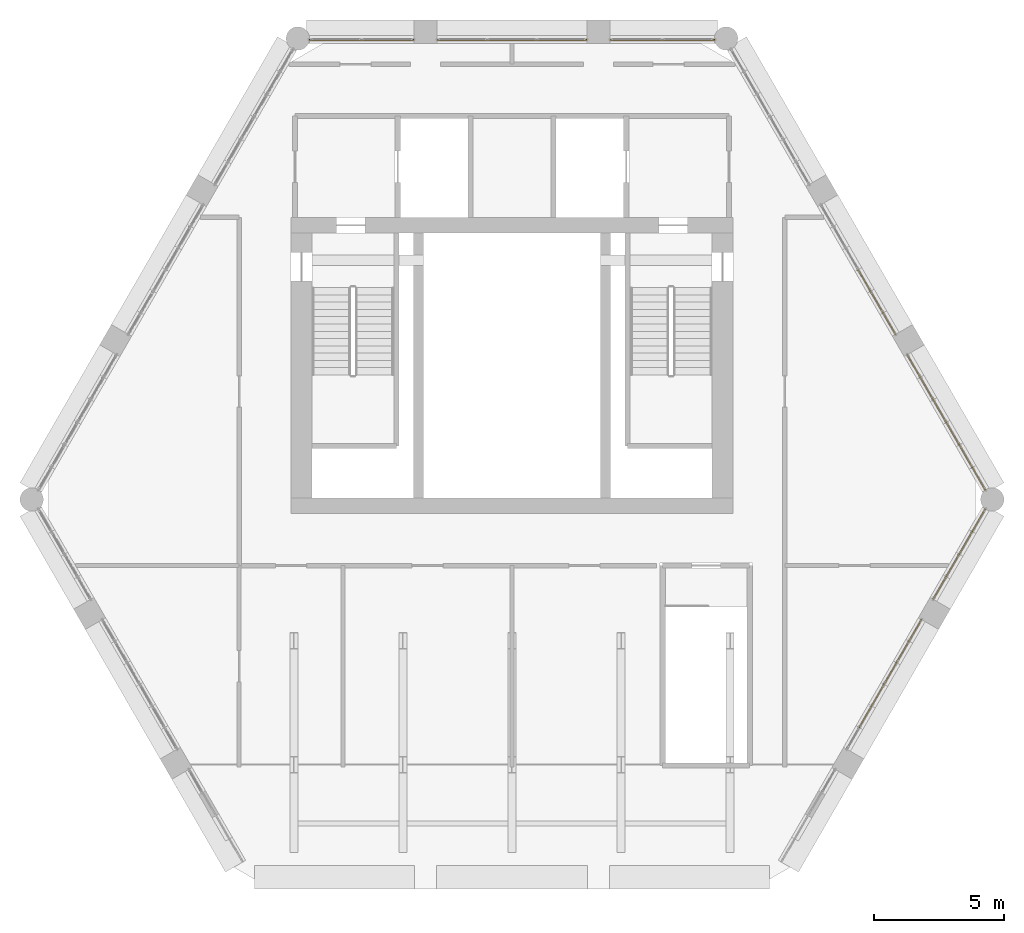
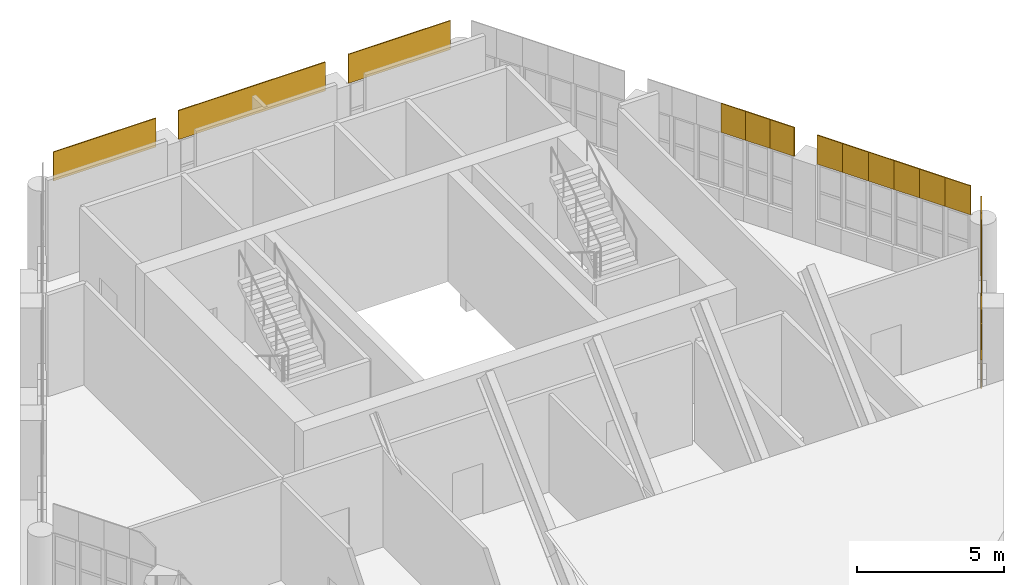
# One storey, part 25 of 25: 21 coverings.
"""IFC4 building model written with IfcOpenShell, lengths in metres."""

import ifcopenshell
import ifcopenshell.guid

model = None  # the IFC model being written
_history = None  # IfcOwnerHistory: only IFC2X3 demands one
_inside = {}  # id of a spatial element -> (the spatial element, [elements in it])
_under = {}  # id of a project, library or spatial element -> (it, [spatial elements below it])
_declared = {}  # id of a project -> (the project, [libraries it declares])
_typed = {}  # id of a type object -> (the type object, [elements of that type])
_made_of = {}  # id of a material, layer set ... -> (it, [elements and type objects made of it])


def new_model(schema):
    """Start an empty IFC model of exactly this schema.

    Asked for "IFC4X3", IfcOpenShell would pick the latest addendum, in which some entities
    have other attributes; the version numbers below select the first issue.
    IFC2X3 requires an IfcOwnerHistory on every rooted entity: one is made here for all.
    """
    global model, _history
    if schema == "IFC4X3":
        model = ifcopenshell.file(schema_version=(4, 3, 0, 0))
    else:
        model = ifcopenshell.file(schema=schema)
    _inside.clear()
    _under.clear()
    _declared.clear()
    _typed.clear()
    _made_of.clear()
    _history = None
    if model.schema == "IFC2X3":
        org = make("IfcOrganization", Name="unknown")
        user = make(
            "IfcPersonAndOrganization",
            ThePerson=make("IfcPerson", FamilyName="unknown"),
            TheOrganization=org,
        )
        app = make(
            "IfcApplication",
            ApplicationDeveloper=org,
            Version="unknown",
            ApplicationFullName="unknown",
            ApplicationIdentifier="unknown",
        )
        _history = make(
            "IfcOwnerHistory",
            OwningUser=user,
            OwningApplication=app,
            ChangeAction="ADDED",
            CreationDate=0,
        )
    return model


def make(cls, **values):
    """One entity of the class cls with the attributes given. An attribute that is None is left unset."""
    return model.create_entity(
        cls, **{name: value for name, value in values.items() if value is not None}
    )


def rooted(cls, **values):
    """An entity with a GlobalId (a new one), such as an element, a storey or a relation."""
    return make(cls, GlobalId=ifcopenshell.guid.new(), OwnerHistory=_history, **values)


def si_unit(unit_type, name, prefix=None):
    """IfcSIUnit, for example si_unit("LENGTHUNIT", "METRE", prefix="MILLI")."""
    return make("IfcSIUnit", UnitType=unit_type, Prefix=prefix, Name=name)


def assignment(units):
    """IfcUnitAssignment: the units of a project."""
    return None if units is None else make("IfcUnitAssignment", Units=units)


def point(xyz):
    """IfcCartesianPoint."""
    return None if xyz is None else make("IfcCartesianPoint", Coordinates=xyz)


def direction(xyz):
    """IfcDirection."""
    return None if xyz is None else make("IfcDirection", DirectionRatios=xyz)


def frame(location, z_axis=None, x_axis=None):
    """IfcAxis2Placement3D, a coordinate frame: its origin and axes. An axis left out is left unset."""
    return make(
        "IfcAxis2Placement3D",
        Location=point(location),
        Axis=direction(z_axis),
        RefDirection=direction(x_axis),
    )


def origin():
    """The frame at (0, 0, 0) with its axes left unset."""
    return frame((0.0, 0.0, 0.0))


def place(relative_to, where):
    """IfcLocalPlacement: puts the frame where relative to a parent placement (None: the world)."""
    return make(
        "IfcLocalPlacement", PlacementRelTo=relative_to, RelativePlacement=where
    )


def context(
    kind, dimensions, precision=None, world=None, true_north=None, identifier=None
):
    """IfcGeometricRepresentationContext, for example the 3D "Model" context."""
    return make(
        "IfcGeometricRepresentationContext",
        ContextIdentifier=identifier,
        ContextType=kind,
        CoordinateSpaceDimension=dimensions,
        Precision=precision,
        WorldCoordinateSystem=world,
        TrueNorth=true_north,
    )


def subcontext(parent, identifier, kind, view, scale=None):
    """IfcGeometricRepresentationSubContext, for example "Body" below "Model"."""
    return make(
        "IfcGeometricRepresentationSubContext",
        ContextIdentifier=identifier,
        ContextType=kind,
        ParentContext=parent,
        TargetScale=scale,
        TargetView=view,
    )


def project(units=None, contexts=None):
    """IfcProject with its units and contexts."""
    return rooted(
        "IfcProject",
        Name="project",
        RepresentationContexts=contexts,
        UnitsInContext=assignment(units),
    )


def spatial(cls, under=None, at=None, **own):
    """A site, building, storey or space (cls), placed at a placement, below another one or the project."""
    s = rooted(cls, ObjectPlacement=at, **own)
    if under is not None:
        _under.setdefault(under.id(), (under, []))[1].append(s)
    return s


def polyline(points):
    """IfcPolyline through the points."""
    return make("IfcPolyline", Points=[point(p) for p in points])


def outline(outer, holes=None, kind="AREA"):
    """IfcArbitraryClosedProfileDef: a profile drawn as a closed curve; with holes, ...WithVoids."""
    if holes is None:
        return make("IfcArbitraryClosedProfileDef", ProfileType=kind, OuterCurve=outer)
    return make(
        "IfcArbitraryProfileDefWithVoids",
        ProfileType=kind,
        OuterCurve=outer,
        InnerCurves=holes,
    )


def extrude(swept, where, along, depth):
    """IfcExtrudedAreaSolid: the profile swept, set in the frame where, extruded along a direction by depth."""
    return make(
        "IfcExtrudedAreaSolid",
        SweptArea=swept,
        Position=where,
        ExtrudedDirection=direction(along),
        Depth=depth,
    )


def shape(context_of_items, identifier, shape_type, items):
    """IfcShapeRepresentation: the items that make up one representation, for example the "Body"."""
    return make(
        "IfcShapeRepresentation",
        ContextOfItems=context_of_items,
        RepresentationIdentifier=identifier,
        RepresentationType=shape_type,
        Items=items,
    )


def material(Name=None, Category=None):
    """IfcMaterial."""
    return make("IfcMaterial", Name=Name, Category=Category)


def layer(
    of_material, thickness, ventilated=None, Name=None, Category=None, Priority=None
):
    """IfcMaterialLayer: one layer of a wall or slab, of a material (None: an air gap)."""
    return make(
        "IfcMaterialLayer",
        Material=of_material,
        LayerThickness=thickness,
        IsVentilated=ventilated,
        Name=Name,
        Category=Category,
        Priority=Priority,
    )


def layer_set(layers, Name=None):
    """IfcMaterialLayerSet."""
    return make("IfcMaterialLayerSet", MaterialLayers=layers, LayerSetName=Name)


def made_of(thing, what):
    """Note that an element or type object is made of a material, layer set ...; save() writes the relation."""
    if what is not None:
        _made_of.setdefault(what.id(), (what, []))[1].append(thing)
    return thing


def type_object(cls, material=None, **own):
    """A type object (cls), such as IfcWallType, which elements share."""
    return made_of(rooted(cls, **own), material)


def element(
    cls,
    number,
    at=None,
    inside=None,
    cuts=None,
    type_object=None,
    material=None,
    context=None,
    identifier="Body",
    shape_type=None,
    held_by="IfcProductDefinitionShape",
    body=None,
    shapes=None,
    **own,
):
    """One element of the class cls, such as IfcWall. Its Tag is "e" and its number.

    at: its placement. inside: the storey or other place that contains it. cuts: it is an
    opening in that element (IfcRelVoidsElement). A single representation is given by context,
    identifier, shape_type and body (its items); several are given by shapes. held_by: the class
    of the entity that holds the representations. save() writes the other relations.
    """
    e = rooted(cls, Tag="e%d" % number, ObjectPlacement=at, **own)
    if body is not None:
        shapes = [shape(context, identifier, shape_type, body)]
    if shapes is not None:
        e.Representation = make(held_by, Representations=shapes)
    if inside is not None:
        _inside.setdefault(inside.id(), (inside, []))[1].append(e)
    if cuts is not None:
        rooted(
            "IfcRelVoidsElement", RelatingBuildingElement=cuts, RelatedOpeningElement=e
        )
    if type_object is not None:
        _typed.setdefault(type_object.id(), (type_object, []))[1].append(e)
    return made_of(e, material)


def aggregate(whole, parts):
    """IfcRelAggregates: a whole, such as a stair, and the parts it consists of."""
    return rooted("IfcRelAggregates", RelatingObject=whole, RelatedObjects=parts)


def save(model, path):
    """Write the relations noted so far, then the file.

    IfcRelAggregates (storeys below a building ...), IfcRelContainedInSpatialStructure (elements
    in a storey), IfcRelDefinesByType, IfcRelAssociatesMaterial and IfcRelDeclares: one each for
    every whole, place, type object, material and project.
    """
    for whole, parts in _under.values():
        aggregate(whole, parts)
    for where, things in _inside.values():
        rooted(
            "IfcRelContainedInSpatialStructure",
            RelatedElements=things,
            RelatingStructure=where,
        )
    for kind, things in _typed.values():
        rooted("IfcRelDefinesByType", RelatedObjects=things, RelatingType=kind)
    for what, things in _made_of.values():
        rooted("IfcRelAssociatesMaterial", RelatedObjects=things, RelatingMaterial=what)
    for by, libraries in _declared.values():
        rooted("IfcRelDeclares", RelatingContext=by, RelatedDefinitions=libraries)
    model.write(path)


model = new_model("IFC4")

# Units and contexts
model_context = context("Model", 3, precision=1e-05, world=origin(), true_north=direction((0.0, 1.0)))
body_context = subcontext(model_context, "Body", "Model", "MODEL_VIEW")
ifc_project = project(units=[si_unit("LENGTHUNIT", "METRE"), si_unit("AREAUNIT", "SQUARE_METRE"), si_unit("VOLUMEUNIT", "CUBIC_METRE"), si_unit("PLANEANGLEUNIT", "RADIAN"), si_unit("MASSUNIT", "GRAM", prefix="KILO")], contexts=[model_context])

# Site, building, storey
site_placement = place(None, origin())
site = spatial("IfcSite", under=ifc_project, at=site_placement, CompositionType="ELEMENT")
building_placement = place(site_placement, origin())
building = spatial("IfcBuilding", under=site, at=building_placement, Name="Ostrander Bayou Hotel Tower", CompositionType="ELEMENT")
storey_placement = place(building_placement, frame((0.0, 0.0, 275.0)))
storey = spatial("IfcBuildingStorey", under=building, at=storey_placement, Name="L68", CompositionType="ELEMENT", Elevation=275.0)

# Coverings
ifc_material = material(Name="Reconstituted stone panels", Category="masonry")
ifc_layer = layer(ifc_material, 0.0400390625)
ifc_layer_set = layer_set([ifc_layer], Name="CV3 crown cladding 40 mm")
covering_type = type_object("IfcCoveringType", Name="CV3 crown cladding 40 mm", PredefinedType="CLADDING", material=ifc_layer_set)
covering_1_placement = place(storey_placement, frame((7.7958984375, 16.550048828125, 3.300048828125), z_axis=(0.0, 1.0, 0.0), x_axis=(-1.0, 0.0, 0.0)))
element("IfcCovering", 1, at=covering_1_placement, inside=storey, type_object=covering_type, Name="CV3 crown fascia L68", PredefinedType="CLADDING", context=body_context, shape_type="SweptSolid", body=[
    extrude(outline(polyline([(0.0, 0.0), (4.0166015625, 0.0), (4.0166015625, 1.199951171875), (0.0, 1.199951171875), (0.0, 0.0)])), origin(), (0.0, 0.0, -1.0), 0.0400390625),
])
covering_2_placement = place(storey_placement, frame((2.87939453125, 16.550048828125, 3.300048828125), z_axis=(0.0, 1.0, 0.0), x_axis=(-1.0, 0.0, 0.0)))
element("IfcCovering", 2, at=covering_2_placement, inside=storey, type_object=covering_type, Name="CV3 crown fascia L68", PredefinedType="CLADDING", context=body_context, shape_type="SweptSolid", body=[
    extrude(outline(polyline([(0.0, 0.0), (5.7587890625, 0.0), (5.7587890625, 1.199951171875), (0.0, 1.199951171875), (0.0, 0.0)])), origin(), (0.0, 0.0, -1.0), 0.0400390625),
])
covering_3_placement = place(storey_placement, frame((-3.779296875, 16.550048828125, 3.300048828125), z_axis=(0.0, 1.0, 0.0), x_axis=(-1.0, 0.0, 0.0)))
element("IfcCovering", 3, at=covering_3_placement, inside=storey, type_object=covering_type, Name="CV3 crown fascia L68", PredefinedType="CLADDING", context=body_context, shape_type="SweptSolid", body=[
    extrude(outline(polyline([(0.0, 0.0), (4.0166015625, 0.0), (4.0166015625, 1.199951171875), (0.0, 1.199951171875), (0.0, 0.0)])), origin(), (0.0, 0.0, -1.0), 0.0400390625),
])
for number, where, z_axis, x_axis, name in (
    (4, (13.372802734375, -9.9375, 3.300048828125), (0.866011930837, -0.500023335103, 0.0), (0.500023335103, 0.866011930837, 0.0), "CV3 crown fascia L68"),
    (5, (13.852783203125, -9.106201171875, 3.300048828125), (0.866011930837, -0.500023335103, 0.0), (0.500023335103, 0.866011930837, 0.0), "CV3 crown fascia L68"),
):
    element("IfcCovering", number, at=place(storey_placement, frame(where, z_axis=z_axis, x_axis=x_axis)), inside=storey, type_object=covering_type, Name=name, PredefinedType="CLADDING", context=body_context, shape_type="SweptSolid", body=[
        extrude(outline(polyline([(0.0, 0.0), (0.9599161380159561, 0.0), (0.9599161380159561, 1.199951171875), (0.0, 1.199951171875), (0.0, 0.0)])), origin(), (0.0, 0.0, -1.0), 0.0400390625),
    ])
covering_4_placement = place(storey_placement, frame((14.332763671875, -8.27490234375, 3.300048828125), z_axis=(0.866058487353, -0.499942693199, 0.0), x_axis=(0.499942693199, 0.866058487353, 0.0)))
element("IfcCovering", 6, at=covering_4_placement, inside=storey, type_object=covering_type, Name="CV3 crown fascia L68", PredefinedType="CLADDING", context=body_context, shape_type="SweptSolid", body=[
    extrude(outline(polyline([(0.0, 0.0), (0.9595826374724483, 0.0), (0.9595826374724483, 1.199951171875), (0.0, 1.199951171875), (0.0, 0.0)])), origin(), (0.0, 0.0, -1.0), 0.0400390625),
])
covering_5_placement = place(storey_placement, frame((14.8125, -7.44384765625, 3.300048828125), z_axis=(0.866011930837, -0.500023335103, 0.0), x_axis=(0.500023335103, 0.866011930837, 0.0)))
element("IfcCovering", 7, at=covering_5_placement, inside=storey, type_object=covering_type, Name="CV3 crown fascia L68", PredefinedType="CLADDING", context=body_context, shape_type="SweptSolid", body=[
    extrude(outline(polyline([(0.0, 0.0), (0.9599161380159561, 0.0), (0.9599161380159561, 1.199951171875), (0.0, 1.199951171875), (0.0, 0.0)])), origin(), (0.0, 0.0, -1.0), 0.0400390625),
])
covering_6_placement = place(storey_placement, frame((15.29248046875, -6.612548828125, 3.300048828125), z_axis=(0.865948320045, -0.500133489192, 0.0), x_axis=(0.500133489192, 0.865948320045, 0.0)))
element("IfcCovering", 8, at=covering_6_placement, inside=storey, type_object=covering_type, Name="CV3 crown fascia L68", PredefinedType="CLADDING", context=body_context, shape_type="SweptSolid", body=[
    extrude(outline(polyline([(0.0, 0.0), (0.9597047170860381, 0.0), (0.9597047170860381, 1.199951171875), (0.0, 1.199951171875), (0.0, 0.0)])), origin(), (0.0, 0.0, -1.0), 0.0400390625),
])
covering_7_placement = place(storey_placement, frame((16.222412109375, -5.001953125, 3.300048828125), z_axis=(0.865958718457, -0.500115484592, 0.0), x_axis=(0.500115484592, 0.865958718457, 0.0)))
element("IfcCovering", 9, at=covering_7_placement, inside=storey, type_object=covering_type, Name="CV3 crown fascia L68", PredefinedType="CLADDING", context=body_context, shape_type="SweptSolid", body=[
    extrude(outline(polyline([(0.0, 0.0), (1.0036744321355686, 0.0), (1.0036744321355686, 1.199951171875), (0.0, 1.199951171875), (0.0, 0.0)])), origin(), (0.0, 0.0, -1.0), 0.0400390625),
])
covering_8_placement = place(storey_placement, frame((16.724365234375, -4.1328125, 3.300048828125), z_axis=(0.866080321209, -0.499904868165, 0.0), x_axis=(0.499904868165, 0.866080321209, 0.0)))
element("IfcCovering", 10, at=covering_8_placement, inside=storey, type_object=covering_type, Name="CV3 crown fascia L68", PredefinedType="CLADDING", context=body_context, shape_type="SweptSolid", body=[
    extrude(outline(polyline([(0.0, 0.0), (1.0040972932354897, 0.0), (1.0040972932354897, 1.199951171875), (0.0, 1.199951171875), (0.0, 0.0)])), origin(), (0.0, 0.0, -1.0), 0.0400390625),
])
covering_9_placement = place(storey_placement, frame((17.226318359375, -3.26318359375, 3.300048828125), z_axis=(0.866064057238, -0.499933044277, 0.0), x_axis=(0.499933044277, 0.866064057238, 0.0)))
element("IfcCovering", 11, at=covering_9_placement, inside=storey, type_object=covering_type, Name="CV3 crown fascia L68", PredefinedType="CLADDING", context=body_context, shape_type="SweptSolid", body=[
    extrude(outline(polyline([(0.0, 0.0), (1.0035523558977801, 0.0), (1.0035523558977801, 1.199951171875), (0.0, 1.199951171875), (0.0, 0.0)])), origin(), (0.0, 0.0, -1.0), 0.0400390625),
])
covering_10_placement = place(storey_placement, frame((17.72802734375, -2.39404296875, 3.300048828125), z_axis=(0.866019539041, -0.500010157896, 0.0), x_axis=(0.500010157896, 0.866019539041, 0.0)))
element("IfcCovering", 12, at=covering_10_placement, inside=storey, type_object=covering_type, Name="CV3 crown fascia L68", PredefinedType="CLADDING", context=body_context, shape_type="SweptSolid", body=[
    extrude(outline(polyline([(0.0, 0.0), (1.0038858552634866, 0.0), (1.0038858552634866, 1.199951171875), (0.0, 1.199951171875), (0.0, 0.0)])), origin(), (0.0, 0.0, -1.0), 0.0400390625),
])
for number, where, z_axis, x_axis, name in (
    (13, (18.22998046875, -0.788330078125, 3.300048828125), (0.866047774678, 0.499961250474, 0.0), (-0.499961250474, 0.866047774678, 0.0), "CV3 crown fascia L68"),
    (14, (17.728515625, 0.080322265625, 3.300048828125), (0.866047774678, 0.499961250474, 0.0), (-0.499961250474, 0.866047774678, 0.0), "CV3 crown fascia L68"),
    (15, (17.22705078125, 0.948974609375, 3.300048828125), (0.866047774678, 0.499961250474, 0.0), (-0.499961250474, 0.866047774678, 0.0), "CV3 crown fascia L68"),
    (16, (16.7255859375, 1.817626953125, 3.300048828125), (0.866047774678, 0.499961250474, 0.0), (-0.499961250474, 0.866047774678, 0.0), "CV3 crown fascia L68"),
):
    element("IfcCovering", number, at=place(storey_placement, frame(where, z_axis=z_axis, x_axis=x_axis)), inside=storey, type_object=covering_type, Name=name, PredefinedType="CLADDING", context=body_context, shape_type="SweptSolid", body=[
        extrude(outline(polyline([(0.0, 0.0), (1.0030074196233945, 0.0), (1.0030074196233945, 1.199951171875), (0.0, 1.199951171875), (0.0, 0.0)])), origin(), (0.0, 0.0, -1.0), 0.0400390625),
    ])
covering_11_placement = place(storey_placement, frame((16.22412109375, 2.686279296875, 3.300048828125), z_axis=(0.865942374699, 0.500143783026, 0.0), x_axis=(-0.500143783026, 0.865942374699, 0.0)))
element("IfcCovering", 17, at=covering_11_placement, inside=storey, type_object=covering_type, Name="CV3 crown fascia L68", PredefinedType="CLADDING", context=body_context, shape_type="SweptSolid", body=[
    extrude(outline(polyline([(0.0, 0.0), (1.0031295027587228, 0.0), (1.0031295027587228, 1.1999511718750002), (0.0, 1.1999511718750002), (0.0, 0.0)])), origin(), (0.0, 0.0, -1.0), 0.0400390625),
])
covering_12_placement = place(storey_placement, frame((15.722412109375, 3.554931640625, 3.300048828125), z_axis=(0.866047774678, 0.499961250474, 0.0), x_axis=(-0.499961250474, 0.866047774678, 0.0)))
element("IfcCovering", 18, at=covering_12_placement, inside=storey, type_object=covering_type, Name="CV3 crown fascia L68", PredefinedType="CLADDING", context=body_context, shape_type="SweptSolid", body=[
    extrude(outline(polyline([(0.0, 0.0), (1.0030074196233945, 0.0), (1.0030074196233945, 1.199951171875), (0.0, 1.199951171875), (0.0, 0.0)])), origin(), (0.0, 0.0, -1.0), 0.0400390625),
])
covering_13_placement = place(storey_placement, frame((14.77099609375, 5.203125, 3.300048828125), z_axis=(0.865948320045, 0.500133489192, 0.0), x_axis=(-0.500133489192, 0.865948320045, 0.0)))
element("IfcCovering", 19, at=covering_13_placement, inside=storey, type_object=covering_type, Name="CV3 crown fascia L68", PredefinedType="CLADDING", context=body_context, shape_type="SweptSolid", body=[
    extrude(outline(polyline([(0.0, 0.0), (0.9597047170860381, 0.0), (0.9597047170860381, 1.199951171875), (0.0, 1.199951171875), (0.0, 0.0)])), origin(), (0.0, 0.0, -1.0), 0.0400390625),
])
covering_14_placement = place(storey_placement, frame((14.291015625, 6.0341796875, 3.300048828125), z_axis=(0.866011930837, 0.500023335103, 0.0), x_axis=(-0.500023335103, 0.866011930837, 0.0)))
element("IfcCovering", 20, at=covering_14_placement, inside=storey, type_object=covering_type, Name="CV3 crown fascia L68", PredefinedType="CLADDING", context=body_context, shape_type="SweptSolid", body=[
    extrude(outline(polyline([(0.0, 0.0), (0.9599161380159561, 0.0), (0.9599161380159561, 1.199951171875), (0.0, 1.199951171875), (0.0, 0.0)])), origin(), (0.0, 0.0, -1.0), 0.0400390625),
])
covering_15_placement = place(storey_placement, frame((13.81103515625, 6.865478515625, 3.300048828125), z_axis=(0.866122057702, 0.499832553123, 0.0), x_axis=(-0.499832553123, 0.866122057702, 0.0)))
element("IfcCovering", 21, at=covering_15_placement, inside=storey, type_object=covering_type, Name="CV3 crown fascia L68", PredefinedType="CLADDING", context=body_context, shape_type="SweptSolid", body=[
    extrude(outline(polyline([(0.0, 0.0), (0.9597940852937448, 0.0), (0.9597940852937448, 1.199951171875), (0.0, 1.199951171875), (0.0, 0.0)])), origin(), (0.0, 0.0, -1.0), 0.0400390625),
])

save(model, "model.ifc")
